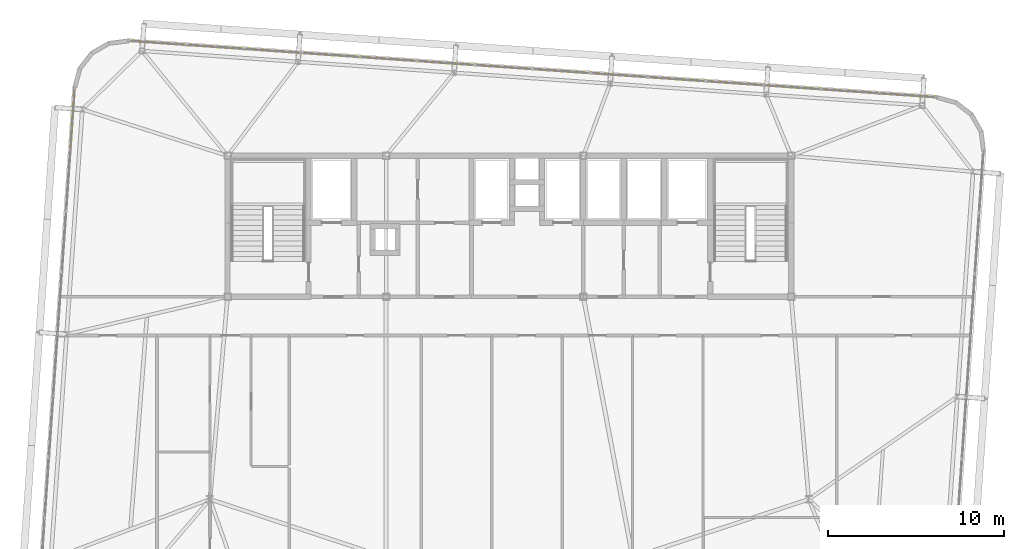
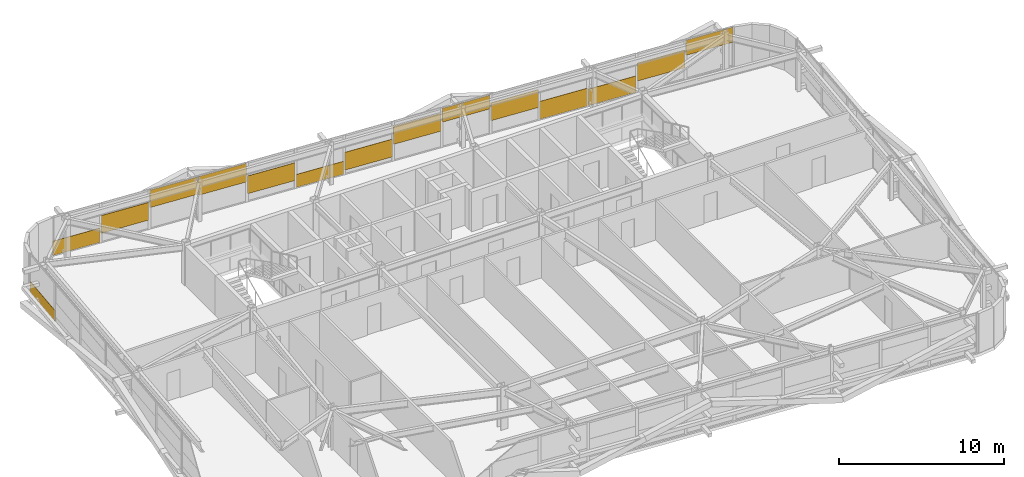
# One storey, part 47 of 47: 15 coverings.
"""IFC4 building model written with IfcOpenShell, lengths in metres."""

from ifc_helpers import new_model, si_unit, direction, frame, origin, origin_2d, place, context, subcontext, project, spatial, rectangle, extrude, source, transform, mapped, material, layer, layer_set, type_object, element, save


model = new_model("IFC4")

# Units and contexts
model_context = context("Model", 3, precision=1e-05, world=origin(), true_north=direction((0.0, 1.0)))
body_context = subcontext(model_context, "Body", "Model", "MODEL_VIEW")
ifc_project = project(units=[si_unit("LENGTHUNIT", "METRE"), si_unit("AREAUNIT", "SQUARE_METRE"), si_unit("VOLUMEUNIT", "CUBIC_METRE"), si_unit("PLANEANGLEUNIT", "RADIAN"), si_unit("MASSUNIT", "GRAM", prefix="KILO")], contexts=[model_context])

# Site, building, storey
site_placement = place(None, origin())
site = spatial("IfcSite", under=ifc_project, at=site_placement, CompositionType="ELEMENT")
building_placement = place(site_placement, origin())
building = spatial("IfcBuilding", under=site, at=building_placement, Name="Taldren Reach Tower", CompositionType="ELEMENT")
storey_placement = place(building_placement, frame((0.0, 0.0, 139.300048828125)))
storey = spatial("IfcBuildingStorey", under=building, at=storey_placement, Name="L42", CompositionType="ELEMENT", Elevation=139.300048828125)

# Coverings
ifc_material = material(Name="Pale Champagne Fluoropolymer Aluminium Spandrel Cladding", Category="aluminium")
ifc_layer = layer(ifc_material, 0.0439453125)
ifc_layer_set = layer_set([ifc_layer], Name="Pale Champagne Fluoropolymer Aluminium Spandrel Cladding")
covering_type = type_object("IfcCoveringType", Name="CV-CLAD-044", PredefinedType="CLADDING", material=ifc_layer_set)
shared_shape_1 = source(origin(), body_context, "Body", "SweptSolid", [
    extrude(rectangle(XDim=3.1806640625, YDim=0.0439453125, at=origin_2d()), origin(), (0.0, 0.0, 1.0), 1.05322265625),
])
covering_1_placement = place(storey_placement, frame((15.038330078125, 38.407470703125, 0.054931640625), z_axis=(0.0, 0.0, 1.0), x_axis=(-0.99756404731, 0.06975651593, 0.0)))
element("IfcCovering", 1, at=covering_1_placement, inside=storey, type_object=covering_type, Name="Diagrid closure cladding strip CW-4 panel 14.1 1", PredefinedType="CLADDING", context=body_context, shape_type="MappedRepresentation", body=[
    mapped(shared_shape_1, transform((0.0, 0.0, 0.0), scale=1.0)),
])
shared_shape_2 = source(origin(), body_context, "Body", "SweptSolid", [
    extrude(rectangle(XDim=3.2158203125, YDim=0.0439453125, at=origin_2d()), origin(), (0.0, 0.0, 1.0), 1.31494140625),
])
for number, where, z_axis, x_axis, name in (
    (2, (54.353515625, 35.658447265625, 0.86279296875), (0.0, 0.0, 1.0), (-0.99756404731, 0.06975651593, 0.0), "Diagrid closure cladding strip CW-4 panel 2.1 1"),
    (3, (44.520263671875, 36.345947265625, 0.959716796875), (0.0, 0.0, 1.0), (-0.99756404731, 0.06975651593, 0.0), "Diagrid closure cladding strip CW-4 panel 5.1 1"),
    (4, (37.96484375, 36.804443359375, 1.22705078125), (0.0, 0.0, 1.0), (-0.99756404731, 0.06975651593, 0.0), "Diagrid closure cladding strip CW-4 panel 7.1 1"),
    (5, (34.687255859375, 37.033447265625, 0.327880859375), (0.0, 0.0, 1.0), (-0.99756404731, 0.06975651593, 0.0), "Diagrid closure cladding strip CW-4 panel 8.1 1"),
    (6, (28.1318359375, 37.491943359375, 0.59521484375), (0.0, 0.0, 1.0), (-0.99756404731, 0.06975651593, 0.0), "Diagrid closure cladding strip CW-4 panel 10.1 1"),
    (7, (18.298583984375, 38.179443359375, 0.692138671875), (0.0, 0.0, 1.0), (-0.99756404731, 0.06975651593, 0.0), "Diagrid closure cladding strip CW-4 panel 13.1 1"),
):
    element("IfcCovering", number, at=place(storey_placement, frame(where, z_axis=z_axis, x_axis=x_axis)), inside=storey, type_object=covering_type, Name=name, PredefinedType="CLADDING", context=body_context, shape_type="MappedRepresentation", body=[
        mapped(shared_shape_2, transform((0.0, 0.0, 0.0), scale=1.0)),
    ])
shared_shape_3 = source(origin(), body_context, "Body", "SweptSolid", [
    extrude(rectangle(XDim=3.2158203125, YDim=0.0439453125, at=origin_2d()), origin(), (0.0, 0.0, 1.0), 1.28369140625),
])
covering_2_placement = place(storey_placement, frame((21.576416015625, 37.950439453125, 1.59130859375), z_axis=(0.0, 0.0, 1.0), x_axis=(-0.99756404731, 0.06975651593, 0.0)))
element("IfcCovering", 8, at=covering_2_placement, inside=storey, type_object=covering_type, Name="Diagrid closure cladding strip CW-4 panel 12.1 1", PredefinedType="CLADDING", context=body_context, shape_type="MappedRepresentation", body=[
    mapped(shared_shape_3, transform((0.0, 0.0, 0.0), scale=1.0)),
])
shared_shape_4 = source(origin(), body_context, "Body", "SweptSolid", [
    extrude(rectangle(XDim=3.2158203125, YDim=0.0439453125, at=origin_2d()), origin(), (0.0, 0.0, 1.0), 1.380615234375),
])
covering_3_placement = place(storey_placement, frame((24.85400390625, 37.72119140625, 1.494140625), z_axis=(0.0, 0.0, 1.0), x_axis=(-0.99756404731, 0.06975651593, 0.0)))
element("IfcCovering", 9, at=covering_3_placement, inside=storey, type_object=covering_type, Name="Diagrid closure cladding strip CW-4 panel 11.1 1", PredefinedType="CLADDING", context=body_context, shape_type="MappedRepresentation", body=[
    mapped(shared_shape_4, transform((0.0, 0.0, 0.0), scale=1.0)),
])
shared_shape_5 = source(origin(), body_context, "Body", "SweptSolid", [
    extrude(rectangle(XDim=3.2158203125, YDim=0.0439453125, at=origin_2d()), origin(), (0.0, 0.0, 1.0), 0.956298828125),
])
covering_4_placement = place(storey_placement, frame((31.409423828125, 37.2626953125, 0.0546875), z_axis=(0.0, 0.0, 1.0), x_axis=(-0.99756404731, 0.06975651593, 0.0)))
element("IfcCovering", 10, at=covering_4_placement, inside=storey, type_object=covering_type, Name="Diagrid closure cladding strip CW-4 panel 9.1 1", PredefinedType="CLADDING", context=body_context, shape_type="MappedRepresentation", body=[
    mapped(shared_shape_5, transform((0.0, 0.0, 0.0), scale=1.0)),
])
shared_shape_6 = source(origin(), body_context, "Body", "SweptSolid", [
    extrude(rectangle(XDim=3.2158203125, YDim=0.0439453125, at=origin_2d()), origin(), (0.0, 0.0, 1.0), 1.01611328125),
])
covering_5_placement = place(storey_placement, frame((41.24267578125, 36.5751953125, 1.85888671875), z_axis=(0.0, 0.0, 1.0), x_axis=(-0.99756404731, 0.06975651593, 0.0)))
element("IfcCovering", 11, at=covering_5_placement, inside=storey, type_object=covering_type, Name="Diagrid closure cladding strip CW-4 panel 6.1 1", PredefinedType="CLADDING", context=body_context, shape_type="MappedRepresentation", body=[
    mapped(shared_shape_6, transform((0.0, 0.0, 0.0), scale=1.0)),
])
shared_shape_7 = source(origin(), body_context, "Body", "SweptSolid", [
    extrude(rectangle(XDim=3.2158203125, YDim=0.0439453125, at=origin_2d()), origin(), (0.0, 0.0, 1.0), 1.320556640625),
])
covering_6_placement = place(storey_placement, frame((47.798095703125, 36.11669921875, 0.05517578125), z_axis=(0.0, 0.0, 1.0), x_axis=(-0.99756404731, 0.06975651593, 0.0)))
element("IfcCovering", 12, at=covering_6_placement, inside=storey, type_object=covering_type, Name="Diagrid closure cladding strip CW-4 panel 4.1 1", PredefinedType="CLADDING", context=body_context, shape_type="MappedRepresentation", body=[
    mapped(shared_shape_7, transform((0.0, 0.0, 0.0), scale=1.0)),
])
shared_shape_8 = source(origin(), body_context, "Body", "SweptSolid", [
    extrude(rectangle(XDim=3.2158203125, YDim=0.0439453125, at=origin_2d()), origin(), (0.0, 0.0, 1.0), 1.2236328125),
])
covering_7_placement = place(storey_placement, frame((51.07568359375, 35.887451171875, 0.054931640625), z_axis=(0.0, 0.0, 1.0), x_axis=(-0.99756404731, 0.06975651593, 0.0)))
element("IfcCovering", 13, at=covering_7_placement, inside=storey, type_object=covering_type, Name="Diagrid closure cladding strip CW-4 panel 3.1 1", PredefinedType="CLADDING", context=body_context, shape_type="MappedRepresentation", body=[
    mapped(shared_shape_8, transform((0.0, 0.0, 0.0), scale=1.0)),
])
shared_shape_9 = source(origin(), body_context, "Body", "SweptSolid", [
    extrude(rectangle(XDim=3.1806640625, YDim=0.0439453125, at=origin_2d()), origin(), (0.0, 0.0, 1.0), 1.11328125),
])
covering_8_placement = place(storey_placement, frame((57.61376953125, 35.430419921875, 1.76171875), z_axis=(0.0, 0.0, 1.0), x_axis=(-0.99756404731, 0.06975651593, 0.0)))
element("IfcCovering", 14, at=covering_8_placement, inside=storey, type_object=covering_type, Name="Diagrid closure cladding strip CW-4 panel 1.1 1", PredefinedType="CLADDING", context=body_context, shape_type="MappedRepresentation", body=[
    mapped(shared_shape_9, transform((0.0, 0.0, 0.0), scale=1.0)),
])
shared_shape_10 = source(origin(), body_context, "Body", "SweptSolid", [
    extrude(rectangle(XDim=3.39501953125, YDim=0.0439453125, at=origin_2d()), origin(), (0.0, 0.0, 1.0), 0.80859375),
])
covering_9_placement = place(storey_placement, frame((10.206298828125, 34.106689453125, 0.054931640625), z_axis=(0.0, 0.0, 1.0), x_axis=(-0.069756437251, -0.997564052812, 0.0)))
element("IfcCovering", 15, at=covering_9_placement, inside=storey, type_object=covering_type, Name="Diagrid closure cladding strip CW-4 panel 1.1 1", PredefinedType="CLADDING", context=body_context, shape_type="MappedRepresentation", body=[
    mapped(shared_shape_10, transform((0.0, 0.0, 0.0), scale=1.0)),
])

save(model, "model.ifc")
